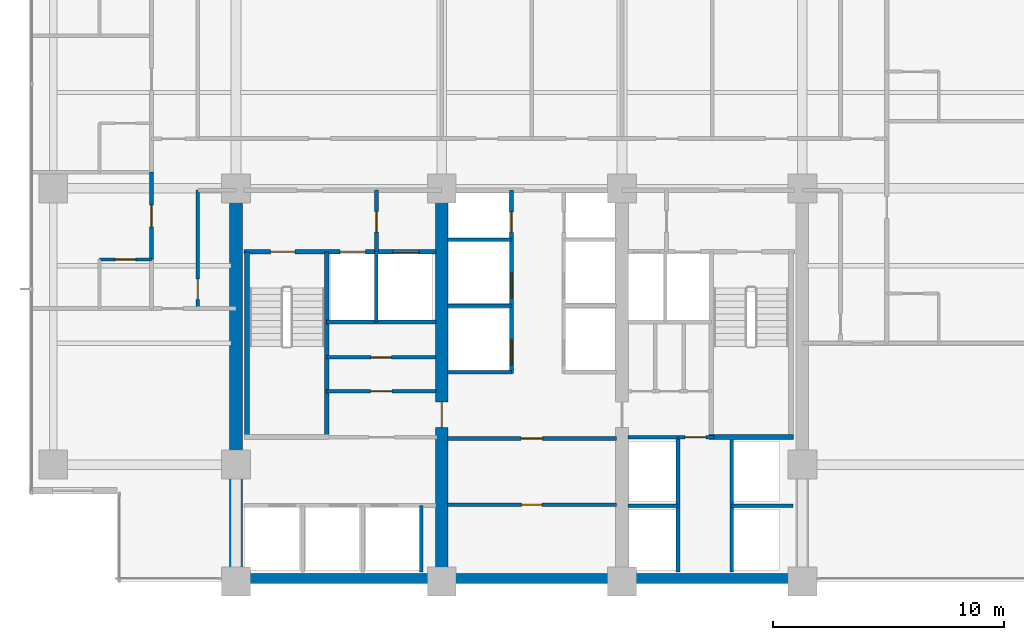
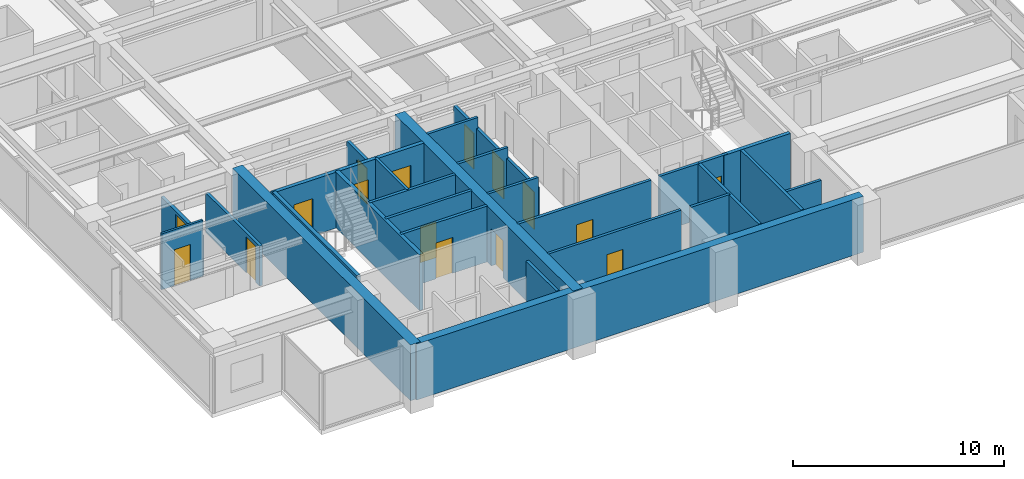
# One storey, part 8 of 17: 28 walls, 16 doors, 16 openings.
"""IFC4 building model written with IfcOpenShell, lengths in metres."""

from ifc_helpers import new_model, si_unit, direction, frame, frame_2d, origin, place, context, subcontext, project, spatial, rectangle, extrude, material, layer, layer_set, type_object, element, fill, save


model = new_model("IFC4")

# Units and contexts
model_context = context("Model", 3, precision=1e-05, world=origin(), true_north=direction((0.0, 1.0)))
body_context = subcontext(model_context, "Body", "Model", "MODEL_VIEW")
ifc_project = project(units=[si_unit("LENGTHUNIT", "METRE"), si_unit("AREAUNIT", "SQUARE_METRE"), si_unit("VOLUMEUNIT", "CUBIC_METRE"), si_unit("PLANEANGLEUNIT", "RADIAN"), si_unit("MASSUNIT", "GRAM", prefix="KILO")], contexts=[model_context])

# Site, building, storey
site_placement = place(None, origin())
site = spatial("IfcSite", under=ifc_project, at=site_placement, CompositionType="ELEMENT")
building_placement = place(site_placement, origin())
building = spatial("IfcBuilding", under=site, at=building_placement, Name="Qalmaran Belvedere Hotel", CompositionType="ELEMENT")
storey_placement = place(building_placement, frame((0.0, 0.0, 91.699951171875)))
storey = spatial("IfcBuildingStorey", under=building, at=storey_placement, Name="L22", CompositionType="ELEMENT", Elevation=91.699951171875)

# Wall
ifc_material_1 = material(Name="Concrete C60/75", Category="concrete")
ifc_layer_1 = layer(ifc_material_1, 0.550048828125, Name="Concrete C60/75")
ifc_layer_set_1 = layer_set([ifc_layer_1], Name="Concrete C60/75")
wall_type_1 = type_object("IfcWallType", Name="WL-CORE-550-C60", PredefinedType="SHEAR", material=ifc_layer_set_1)
wall_1_placement = place(storey_placement, frame((20.300048828125, 3.5, 0.0), z_axis=(0.0, 0.0, 1.0), x_axis=(0.0, 1.0, 0.0)))
element("IfcWall", 1, at=wall_1_placement, inside=storey, type_object=wall_type_1, Name="L22 West Core Shear Wall", PredefinedType="SHEAR", context=body_context, shape_type="SweptSolid", body=[
    extrude(rectangle(XDim=16.89990234375, YDim=0.550048828125, at=frame_2d((8.449951171875, 0.0))), origin(), (0.0, 0.0, 1.0), 3.239990234375),
])

# Wall, opening, door
wall_2_placement = place(storey_placement, frame((29.199951171875, 3.5, 0.0), z_axis=(0.0, 0.0, 1.0), x_axis=(0.0, 1.0, 0.0)))
wall_2 = element("IfcWall", 2, at=wall_2_placement, inside=storey, type_object=wall_type_1, Name="L22 Core West Spine Shear Wall", PredefinedType="SHEAR", context=body_context, shape_type="SweptSolid", body=[
    extrude(rectangle(XDim=16.89990234375, YDim=0.550048828125, at=frame_2d((8.449951171875, 0.0))), origin(), (0.0, 0.0, 1.0), 3.239990234375),
])
opening_1_placement = place(wall_2_placement, frame((7.75, 0.0, 0.0), z_axis=(0.0, 0.0, 1.0), x_axis=(-1.0, 0.0, 0.0)))
opening_1 = element("IfcOpeningElement", 3, at=opening_1_placement, cuts=wall_2, Name="Opening FD90", PredefinedType="OPENING", context=body_context, shape_type="SweptSolid", body=[
    extrude(rectangle(XDim=1.10009765625, YDim=2.14990234375, at=frame_2d((0.550048828125, 1.074951171875))), frame((0.0, 0.28515625, 0.0), z_axis=(0.0, -1.0, 0.0), x_axis=(1.0, 0.0, 0.0)), (0.0, 0.0, 1.0), 0.570068359375),
])
ifc_material_2 = material(Name="Steel S355JR", Category="steel")
door_type_1 = type_object("IfcDoorType", Name="DR-FD90-1100X2150", OperationType="NOTDEFINED", PredefinedType="DOOR", material=ifc_material_2)
door_1_placement = place(opening_1_placement, origin())
door_1 = element("IfcDoor", 4, at=door_1_placement, inside=storey, type_object=door_type_1, Name="L22 Core West Cross-Lobby Door", OperationType="SINGLE_SWING_RIGHT", OverallHeight=2.14990234375, OverallWidth=1.10009765625, PredefinedType="DOOR", context=body_context, shape_type="SweptSolid", body=[
    extrude(rectangle(XDim=1.10009765625, YDim=2.14990234375, at=frame_2d((0.550048828125, 1.074951171875))), frame((0.0, 0.02490234375, 0.0), z_axis=(0.0, -1.0, 0.0), x_axis=(1.0, 0.0, 0.0)), (0.0, 0.0, 1.0), 0.050048828125),
])
fill(opening_1, door_1)

# Wall
ifc_material_3 = material(Name="Concrete C50/60", Category="concrete")
ifc_layer_2 = layer(ifc_material_3, 0.43994140625, Name="Concrete C50/60")
ifc_layer_set_2 = layer_set([ifc_layer_2], Name="Concrete C50/60")
wall_type_2 = type_object("IfcWallType", Name="WL-CORES-440-EXT", PredefinedType="SHEAR", material=ifc_layer_set_2)
wall_3_placement = place(storey_placement, frame((20.300048828125, 3.6298828125, 0.0), z_axis=(0.0, 0.0, 1.0), x_axis=(1.0, 0.0, 0.0)))
element("IfcWall", 5, at=wall_3_placement, inside=storey, type_object=wall_type_2, Name="L22 South Core Shear Wall", PredefinedType="SHEAR", context=body_context, shape_type="SweptSolid", body=[
    extrude(rectangle(XDim=24.5, YDim=0.43994140625, at=frame_2d((12.25, 0.0))), origin(), (0.0, 0.0, 1.0), 3.239990234375),
])

# Wall, opening, door
ifc_material_4 = material(Name="Moisture-Resistant Gypsum")
ifc_layer_3 = layer(ifc_material_4, 0.1201171875, Name="Moisture-Resistant Gypsum")
ifc_layer_set_3 = layer_set([ifc_layer_3], Name="Moisture-Resistant Gypsum")
wall_type_3 = type_object("IfcWallType", Name="WL-INT-120-BATH", PredefinedType="PARTITIONING", material=ifc_layer_set_3)
wall_4_placement = place(storey_placement, frame((14.39990234375, 17.419921875, 0.0), z_axis=(0.0, 0.0, 1.0), x_axis=(1.0, 0.0, 0.0)))
wall_4 = element("IfcWall", 6, at=wall_4_placement, inside=storey, type_object=wall_type_3, Name="L22 Partition WL-L22-WBN00", PredefinedType="PARTITIONING", context=body_context, shape_type="SweptSolid", body=[
    extrude(rectangle(XDim=2.25, YDim=0.1201171875, at=frame_2d((1.125, 0.0))), origin(), (0.0, 0.0, 1.0), 3.239990234375),
])
opening_2_placement = place(wall_4_placement, frame((1.56494140625, 0.0, 0.0), z_axis=(0.0, 0.0, 1.0), x_axis=(-1.0, 0.0, 0.0)))
opening_2 = element("IfcOpeningElement", 7, at=opening_2_placement, cuts=wall_4, Name="Opening D-BATH", PredefinedType="OPENING", context=body_context, shape_type="SweptSolid", body=[
    extrude(rectangle(XDim=0.8798828125, YDim=2.080078125, at=frame_2d((0.43994140625, 1.0400390625))), frame((0.0, 0.070068359375, 0.0), z_axis=(0.0, -1.0, 0.0), x_axis=(1.0, 0.0, 0.0)), (0.0, 0.0, 1.0), 0.14013671875),
])
ifc_material_5 = material(Name="Engineered Oak Veneer")
door_type_2 = type_object("IfcDoorType", Name="DR-INT-BATH-880X2080", OperationType="NOTDEFINED", PredefinedType="DOOR", material=ifc_material_5)
door_2_placement = place(opening_2_placement, origin())
door_2 = element("IfcDoor", 8, at=door_2_placement, inside=storey, type_object=door_type_2, Name="L22 W Ensuite Door 01", OperationType="SINGLE_SWING_LEFT", OverallHeight=2.080078125, OverallWidth=0.8798828125, PredefinedType="DOOR", context=body_context, shape_type="SweptSolid", body=[
    extrude(rectangle(XDim=0.8798828125, YDim=2.080078125, at=frame_2d((0.43994140625, 1.0400390625))), frame((0.0, 0.02490234375, 0.0), z_axis=(0.0, -1.0, 0.0), x_axis=(1.0, 0.0, 0.0)), (0.0, 0.0, 1.0), 0.050048828125),
])
fill(opening_2, door_2)

# Walls
ifc_material_6 = material(Name="Gypsum Stud Partition")
ifc_layer_4 = layer(ifc_material_6, 0.14990234375, Name="Gypsum Stud Partition")
ifc_layer_set_4 = layer_set([ifc_layer_4], Name="Gypsum Stud Partition")
wall_type_4 = type_object("IfcWallType", Name="WL-INT-150-EI120", PredefinedType="PARTITIONING", material=ifc_layer_set_4)
wall_5_placement = place(storey_placement, frame((26.360107421875, 14.719970703125, 0.0), z_axis=(0.0, 0.0, 1.0), x_axis=(0.0, 1.0, 0.0)))
element("IfcWall", 9, at=wall_5_placement, inside=storey, type_object=wall_type_4, Name="L22 Partition WL-FF1M-L22", PredefinedType="PARTITIONING", context=body_context, shape_type="SweptSolid", body=[
    extrude(rectangle(XDim=3.0400390625, YDim=0.14990234375, at=frame_2d((1.52001953125, 0.0))), origin(), (0.0, 0.0, 1.0), 3.239990234375),
])
wall_6_placement = place(storey_placement, frame((28.320068359375, 3.89990234375, 0.0), z_axis=(0.0, 0.0, 1.0), x_axis=(0.0, 1.0, 0.0)))
element("IfcWall", 10, at=wall_6_placement, inside=storey, type_object=wall_type_4, Name="L22 Partition WL-POM3-L22", PredefinedType="PARTITIONING", context=body_context, shape_type="SweptSolid", body=[
    extrude(rectangle(XDim=2.880126953125, YDim=0.14990234375, at=frame_2d((1.43994140625, 0.0))), origin(), (0.0, 0.0, 1.0), 3.239990234375),
])
wall_7_placement = place(storey_placement, frame((37.25, 6.780029296875, 0.0), z_axis=(0.0, 0.0, 1.0), x_axis=(1.0, 0.0, 0.0)))
element("IfcWall", 11, at=wall_7_placement, inside=storey, type_object=wall_type_4, Name="L22 Partition WL-PHMW-L22", PredefinedType="PARTITIONING", context=body_context, shape_type="SweptSolid", body=[
    extrude(rectangle(XDim=2.169921875, YDim=0.14990234375, at=frame_2d((1.0849609375, 0.0))), origin(), (0.0, 0.0, 1.0), 3.239990234375),
])
wall_8_placement = place(storey_placement, frame((41.739990234375, 6.780029296875, 0.0), z_axis=(0.0, 0.0, 1.0), x_axis=(1.0, 0.0, 0.0)))
element("IfcWall", 12, at=wall_8_placement, inside=storey, type_object=wall_type_4, Name="L22 Partition WL-PHME-L22", PredefinedType="PARTITIONING", context=body_context, shape_type="SweptSolid", body=[
    extrude(rectangle(XDim=2.659912109375, YDim=0.14990234375, at=frame_2d((1.330078125, 0.0))), origin(), (0.0, 0.0, 1.0), 2.31298828125),
])
for number, where, z_axis, x_axis, name in (
    (13, (29.449951171875, 12.550048828125, 0.0), (0.0, 0.0, 1.0), (1.0, 0.0, 0.0), "L22 Partition WL-PMW-L22-125"),
    (14, (29.449951171875, 15.419921875, 0.0), (0.0, 0.0, 1.0), (1.0, 0.0, 0.0), "L22 Partition WL-PMW-L22-154"),
    (15, (29.449951171875, 18.280029296875, 0.0), (0.0, 0.0, 1.0), (1.0, 0.0, 0.0), "L22 Partition WL-PMW-L22-182"),
):
    element("IfcWall", number, at=place(storey_placement, frame(where, z_axis=z_axis, x_axis=x_axis)), inside=storey, type_object=wall_type_4, Name=name, PredefinedType="PARTITIONING", context=body_context, shape_type="SweptSolid", body=[
        extrude(rectangle(XDim=2.77001953125, YDim=0.14990234375, at=frame_2d((1.385009765625, 0.0))), origin(), (0.0, 0.0, 1.0), 3.239990234375),
    ])

# Wall, opening, door
ifc_layer_5 = layer(ifc_material_6, 0.14990234375, Name="Gypsum Stud Partition")
ifc_layer_set_5 = layer_set([ifc_layer_5], Name="Gypsum Stud Partition")
wall_type_5 = type_object("IfcWallType", Name="WL-INT-150-EI60", PredefinedType="PARTITIONING", material=ifc_layer_set_5)
wall_9_placement = place(storey_placement, frame((24.219970703125, 13.18505859375, 0.0), z_axis=(0.0, 0.0, 1.0), x_axis=(1.0, 0.0, 0.0)))
wall_9 = element("IfcWall", 16, at=wall_9_placement, inside=storey, type_object=wall_type_5, Name="L22 Partition WL-L22-KWHM", PredefinedType="PARTITIONING", context=body_context, shape_type="SweptSolid", body=[
    extrude(rectangle(XDim=4.72998046875, YDim=0.14990234375, at=frame_2d((2.364990234375, 0.0))), origin(), (0.0, 0.0, 1.0), 3.239990234375),
])
opening_3_placement = place(wall_9_placement, frame((1.925048828125, 0.0, 0.0)))
opening_3 = element("IfcOpeningElement", 17, at=opening_3_placement, cuts=wall_9, Name="Opening FD60B", PredefinedType="OPENING", context=body_context, shape_type="SweptSolid", body=[
    extrude(rectangle(XDim=0.8798828125, YDim=2.080078125, at=frame_2d((0.43994140625, 1.0400390625))), frame((0.0, 0.0849609375, 0.0), z_axis=(0.0, -1.0, 0.0), x_axis=(1.0, 0.0, 0.0)), (0.0, 0.0, 1.0), 0.169921875),
])
door_type_3 = type_object("IfcDoorType", Name="DR-FD60B-880X2080", OperationType="NOTDEFINED", PredefinedType="DOOR", material=ifc_material_2)
door_3_placement = place(opening_3_placement, origin())
door_3 = element("IfcDoor", 18, at=door_3_placement, inside=storey, type_object=door_type_3, Name="L22 Staff Core WC Door", OperationType="SINGLE_SWING_RIGHT", OverallHeight=2.080078125, OverallWidth=0.8798828125, PredefinedType="DOOR", context=body_context, shape_type="SweptSolid", body=[
    extrude(rectangle(XDim=0.8798828125, YDim=2.080078125, at=frame_2d((0.43994140625, 1.0400390625))), frame((0.0, 0.02490234375, 0.0), z_axis=(0.0, -1.0, 0.0), x_axis=(1.0, 0.0, 0.0)), (0.0, 0.0, 1.0), 0.050048828125),
])
fill(opening_3, door_3)

wall_10_placement = place(storey_placement, frame((29.449951171875, 6.81494140625, 0.0), z_axis=(0.0, 0.0, 1.0), x_axis=(1.0, 0.0, 0.0)))
wall_10 = element("IfcWall", 19, at=wall_10_placement, inside=storey, type_object=wall_type_5, Name="L22 Partition WL-L22-KPLHM", PredefinedType="PARTITIONING", context=body_context, shape_type="SweptSolid", body=[
    extrude(rectangle(XDim=7.300048828125, YDim=0.14990234375, at=frame_2d((3.64990234375, 0.0))), origin(), (0.0, 0.0, 1.0), 3.239990234375),
])
opening_4_placement = place(wall_10_placement, frame((4.08984375, 0.0, 0.0), z_axis=(0.0, 0.0, 1.0), x_axis=(-1.0, 0.0, 0.0)))
opening_4 = element("IfcOpeningElement", 20, at=opening_4_placement, cuts=wall_10, Name="Opening FD60B", PredefinedType="OPENING", context=body_context, shape_type="SweptSolid", body=[
    extrude(rectangle(XDim=0.8798828125, YDim=2.080078125, at=frame_2d((0.43994140625, 1.0400390625))), frame((0.0, 0.0849609375, 0.0), z_axis=(0.0, -1.0, 0.0), x_axis=(1.0, 0.0, 0.0)), (0.0, 0.0, 1.0), 0.169921875),
])
door_4_placement = place(opening_4_placement, origin())
door_4 = element("IfcDoor", 21, at=door_4_placement, inside=storey, type_object=door_type_3, Name="L22 Housekeeping and Linen Room Door", OperationType="SINGLE_SWING_LEFT", OverallHeight=2.080078125, OverallWidth=0.8798828125, PredefinedType="DOOR", context=body_context, shape_type="SweptSolid", body=[
    extrude(rectangle(XDim=0.8798828125, YDim=2.080078125, at=frame_2d((0.43994140625, 1.0400390625))), frame((0.0, 0.02490234375, 0.0), z_axis=(0.0, -1.0, 0.0), x_axis=(1.0, 0.0, 0.0)), (0.0, 0.0, 1.0), 0.050048828125),
])
fill(opening_4, door_4)

ifc_layer_6 = layer(ifc_material_6, 0.159912109375, Name="Gypsum Stud Partition")
ifc_layer_set_6 = layer_set([ifc_layer_6], Name="Gypsum Stud Partition")
wall_type_6 = type_object("IfcWallType", Name="WL-INT-160-EI120", PredefinedType="PARTITIONING", material=ifc_layer_set_6)
wall_11_placement = place(storey_placement, frame((26.3798828125, 17.760009765625, 0.0), z_axis=(0.0, 0.0, 1.0), x_axis=(0.0, 1.0, 0.0)))
wall_11 = element("IfcWall", 22, at=wall_11_placement, inside=storey, type_object=wall_type_6, Name="L22 Partition WL-FFSV1-L22", PredefinedType="PARTITIONING", context=body_context, shape_type="SweptSolid", body=[
    extrude(rectangle(XDim=2.659912109375, YDim=0.159912109375, at=frame_2d((1.330078125, 0.0))), origin(), (0.0, 0.0, 1.0), 2.614013671875),
])
opening_5_placement = place(wall_11_placement, frame((0.85009765625, 0.0, 0.0)))
opening_5 = element("IfcOpeningElement", 23, at=opening_5_placement, cuts=wall_11, Name="Opening FD60B", PredefinedType="OPENING", context=body_context, shape_type="SweptSolid", body=[
    extrude(rectangle(XDim=0.8798828125, YDim=2.080078125, at=frame_2d((0.43994140625, 1.0400390625))), frame((0.0, 0.08984375, 0.0), z_axis=(0.0, -1.0, 0.0), x_axis=(1.0, 0.0, 0.0)), (0.0, 0.0, 1.0), 0.179931640625),
])
door_5_placement = place(opening_5_placement, origin())
door_5 = element("IfcDoor", 24, at=door_5_placement, inside=storey, type_object=door_type_3, Name="L22 Service Lobby West Door", OperationType="SINGLE_SWING_RIGHT", OverallHeight=2.080078125, OverallWidth=0.8798828125, PredefinedType="DOOR", context=body_context, shape_type="SweptSolid", body=[
    extrude(rectangle(XDim=0.8798828125, YDim=2.080078125, at=frame_2d((0.43994140625, 1.0400390625))), frame((0.0, 0.02490234375, 0.0), z_axis=(0.0, -1.0, 0.0), x_axis=(1.0, 0.0, 0.0)), (0.0, 0.0, 1.0), 0.050048828125),
])
fill(opening_5, door_5)

# Walls
wall_12_placement = place(storey_placement, frame((24.219970703125, 14.719970703125, 0.0), z_axis=(0.0, 0.0, 1.0), x_axis=(1.0, 0.0, 0.0)))
element("IfcWall", 25, at=wall_12_placement, inside=storey, type_object=wall_type_6, Name="L22 Partition WL-FF1S-L22", PredefinedType="PARTITIONING", context=body_context, shape_type="SweptSolid", body=[
    extrude(rectangle(XDim=4.72998046875, YDim=0.159912109375, at=frame_2d((2.364990234375, 0.0))), origin(), (0.0, 0.0, 1.0), 3.239990234375),
])
for number, where, z_axis, x_axis, name in (
    (26, (39.419921875, 3.89990234375, 0.0), (0.0, 0.0, 1.0), (0.0, 1.0, 0.0), "L22 Partition WL-PHW-L22"),
    (27, (41.739990234375, 3.89990234375, 0.0), (0.0, 0.0, 1.0), (0.0, 1.0, 0.0), "L22 Partition WL-PHE-L22"),
):
    element("IfcWall", number, at=place(storey_placement, frame(where, z_axis=z_axis, x_axis=x_axis)), inside=storey, type_object=wall_type_6, Name=name, PredefinedType="PARTITIONING", context=body_context, shape_type="SweptSolid", body=[
        extrude(rectangle(XDim=5.840087890625, YDim=0.159912109375, at=frame_2d((2.919921875, 0.0))), origin(), (0.0, 0.0, 1.0), 3.239990234375),
    ])
wall_13_placement = place(storey_placement, frame((37.25, 9.739990234375, 0.0), z_axis=(0.0, 0.0, 1.0), x_axis=(1.0, 0.0, 0.0)))
element("IfcWall", 28, at=wall_13_placement, inside=storey, type_object=wall_type_6, Name="L22 Partition WL-PHNW-L22", PredefinedType="PARTITIONING", context=body_context, shape_type="SweptSolid", body=[
    extrude(rectangle(XDim=2.169921875, YDim=0.159912109375, at=frame_2d((1.0849609375, 0.0))), origin(), (0.0, 0.0, 1.0), 3.239990234375),
])

# Wall, opening, door
wall_14_placement = place(storey_placement, frame((39.419921875, 9.739990234375, 0.0), z_axis=(0.0, 0.0, 1.0), x_axis=(1.0, 0.0, 0.0)))
wall_14 = element("IfcWall", 29, at=wall_14_placement, inside=storey, type_object=wall_type_6, Name="L22 Partition WL-PHNL-L22", PredefinedType="PARTITIONING", context=body_context, shape_type="SweptSolid", body=[
    extrude(rectangle(XDim=1.56005859375, YDim=0.159912109375, at=frame_2d((0.780029296875, 0.0))), origin(), (0.0, 0.0, 1.0), 3.239990234375),
])
opening_6_placement = place(wall_14_placement, frame((0.300048828125, 0.0, 0.0)))
opening_6 = element("IfcOpeningElement", 30, at=opening_6_placement, cuts=wall_14, Name="Opening FD60S1", PredefinedType="OPENING", context=body_context, shape_type="SweptSolid", body=[
    extrude(rectangle(XDim=0.919921875, YDim=2.080078125, at=frame_2d((0.4599609375, 1.0400390625))), frame((0.0, 0.08984375, 0.0), z_axis=(0.0, -1.0, 0.0), x_axis=(1.0, 0.0, 0.0)), (0.0, 0.0, 1.0), 0.179931640625),
])
door_type_4 = type_object("IfcDoorType", Name="DR-FD60S-920X2080", OperationType="NOTDEFINED", PredefinedType="DOOR", material=ifc_material_5)
door_6_placement = place(opening_6_placement, origin())
door_6 = element("IfcDoor", 31, at=door_6_placement, inside=storey, type_object=door_type_4, Name="L22 High-Rise Lift Lobby Passage Door", OperationType="SINGLE_SWING_LEFT", OverallHeight=2.080078125, OverallWidth=0.919921875, PredefinedType="DOOR", context=body_context, shape_type="SweptSolid", body=[
    extrude(rectangle(XDim=0.919921875, YDim=2.080078125, at=frame_2d((0.4599609375, 1.0400390625))), frame((0.0, 0.02490234375, 0.0), z_axis=(0.0, -1.0, 0.0), x_axis=(1.0, 0.0, 0.0)), (0.0, 0.0, 1.0), 0.050048828125),
])
fill(opening_6, door_6)

# Wall, openings, doors
wall_15_placement = place(storey_placement, frame((32.219970703125, 12.5, 0.0), z_axis=(0.0, 0.0, 1.0), x_axis=(0.0, 1.0, 0.0)))
wall_15 = element("IfcWall", 32, at=wall_15_placement, inside=storey, type_object=wall_type_6, Name="L22 Partition WL-CLBWN-L22", PredefinedType="PARTITIONING", context=body_context, shape_type="SweptSolid", body=[
    extrude(rectangle(XDim=7.919921875, YDim=0.159912109375, at=frame_2d((3.9599609375, 0.0))), origin(), (0.0, 0.0, 1.0), 2.614013671875),
])
opening_7_placement = place(wall_15_placement, frame((1.43017578125, 0.0, 0.0), z_axis=(0.0, 0.0, 1.0), x_axis=(-1.0, 0.0, 0.0)))
opening_7 = element("IfcOpeningElement", 33, at=opening_7_placement, cuts=wall_15, Name="Opening LD-P1", PredefinedType="OPENING", context=body_context, shape_type="SweptSolid", body=[
    extrude(rectangle(XDim=1.080078125, YDim=2.159912109375, at=frame_2d((0.5400390625, 1.080078125))), frame((0.0, 0.08984375, 0.0), z_axis=(0.0, -1.0, 0.0), x_axis=(1.0, 0.0, 0.0)), (0.0, 0.0, 1.0), 0.179931640625),
])
opening_8_placement = place(wall_15_placement, frame((4.330078125, 0.0, 0.0), z_axis=(0.0, 0.0, 1.0), x_axis=(-1.0, 0.0, 0.0)))
opening_8 = element("IfcOpeningElement", 34, at=opening_8_placement, cuts=wall_15, Name="Opening LD-P1", PredefinedType="OPENING", context=body_context, shape_type="SweptSolid", body=[
    extrude(rectangle(XDim=1.080078125, YDim=2.159912109375, at=frame_2d((0.5400390625, 1.080078125))), frame((0.0, 0.08984375, 0.0), z_axis=(0.0, -1.0, 0.0), x_axis=(1.0, 0.0, 0.0)), (0.0, 0.0, 1.0), 0.179931640625),
])
opening_9_placement = place(wall_15_placement, frame((6.10009765625, 0.0, 0.0)))
opening_9 = element("IfcOpeningElement", 35, at=opening_9_placement, cuts=wall_15, Name="Opening FD60B", PredefinedType="OPENING", context=body_context, shape_type="SweptSolid", body=[
    extrude(rectangle(XDim=0.8798828125, YDim=2.080078125, at=frame_2d((0.43994140625, 1.0400390625))), frame((0.0, 0.08984375, 0.0), z_axis=(0.0, -1.0, 0.0), x_axis=(1.0, 0.0, 0.0)), (0.0, 0.0, 1.0), 0.179931640625),
])
door_7_placement = place(opening_9_placement, origin())
door_7 = element("IfcDoor", 36, at=door_7_placement, inside=storey, type_object=door_type_3, Name="L22 West Riser Access Door", OperationType="SINGLE_SWING_RIGHT", OverallHeight=2.080078125, OverallWidth=0.8798828125, PredefinedType="DOOR", context=body_context, shape_type="SweptSolid", body=[
    extrude(rectangle(XDim=0.8798828125, YDim=2.080078125, at=frame_2d((0.43994140625, 1.0400390625))), frame((0.0, 0.02490234375, 0.0), z_axis=(0.0, -1.0, 0.0), x_axis=(1.0, 0.0, 0.0)), (0.0, 0.0, 1.0), 0.050048828125),
])
fill(opening_9, door_7)
ifc_material_7 = material(Name="Stainless Steel 1.4401", Category="steel")
door_type_5 = type_object("IfcDoorType", Name="DR-LIFT-P1-1080X2160", OperationType="DOUBLE_DOOR_SLIDING", PredefinedType="DOOR", material=ifc_material_7)
door_8_placement = place(opening_7_placement, origin())
door_8 = element("IfcDoor", 37, at=door_8_placement, inside=storey, type_object=door_type_5, Name="L22 PM1 Lift Landing Door", OperationType="DOUBLE_DOOR_SLIDING", OverallHeight=2.159912109375, OverallWidth=1.080078125, PredefinedType="DOOR", context=body_context, shape_type="SweptSolid", body=[
    extrude(rectangle(XDim=1.080078125, YDim=2.159912109375, at=frame_2d((0.5400390625, 1.080078125))), frame((0.0, 0.02490234375, 0.0), z_axis=(0.0, -1.0, 0.0), x_axis=(1.0, 0.0, 0.0)), (0.0, 0.0, 1.0), 0.050048828125),
])
fill(opening_7, door_8)
door_9_placement = place(opening_8_placement, origin())
door_9 = element("IfcDoor", 38, at=door_9_placement, inside=storey, type_object=door_type_5, Name="L22 PM2 Lift Landing Door", OperationType="DOUBLE_DOOR_SLIDING", OverallHeight=2.159912109375, OverallWidth=1.080078125, PredefinedType="DOOR", context=body_context, shape_type="SweptSolid", body=[
    extrude(rectangle(XDim=1.080078125, YDim=2.159912109375, at=frame_2d((0.5400390625, 1.080078125))), frame((0.0, 0.02490234375, 0.0), z_axis=(0.0, -1.0, 0.0), x_axis=(1.0, 0.0, 0.0)), (0.0, 0.0, 1.0), 0.050048828125),
])
fill(opening_8, door_9)

# Wall, opening, door
ifc_layer_7 = layer(ifc_material_6, 0.159912109375, Name="Gypsum Stud Partition")
ifc_layer_set_7 = layer_set([ifc_layer_7], Name="Gypsum Stud Partition")
wall_type_7 = type_object("IfcWallType", Name="WL-INT-160-EI60", PredefinedType="PARTITIONING", material=ifc_layer_set_7)
wall_16_placement = place(storey_placement, frame((24.219970703125, 11.719970703125, 0.0), z_axis=(0.0, 0.0, 1.0), x_axis=(1.0, 0.0, 0.0)))
wall_16 = element("IfcWall", 39, at=wall_16_placement, inside=storey, type_object=wall_type_7, Name="L22 Partition WL-L22-KWE1", PredefinedType="PARTITIONING", context=body_context, shape_type="SweptSolid", body=[
    extrude(rectangle(XDim=4.72998046875, YDim=0.159912109375, at=frame_2d((2.364990234375, 0.0))), origin(), (0.0, 0.0, 1.0), 3.239990234375),
])
opening_10_placement = place(wall_16_placement, frame((1.905029296875, 0.0, 0.0)))
opening_10 = element("IfcOpeningElement", 40, at=opening_10_placement, cuts=wall_16, Name="Opening FD60S1", PredefinedType="OPENING", context=body_context, shape_type="SweptSolid", body=[
    extrude(rectangle(XDim=0.919921875, YDim=2.080078125, at=frame_2d((0.4599609375, 1.0400390625))), frame((0.0, 0.08984375, 0.0), z_axis=(0.0, -1.0, 0.0), x_axis=(1.0, 0.0, 0.0)), (0.0, 0.0, 1.0), 0.179931640625),
])
door_10_placement = place(opening_10_placement, origin())
door_10 = element("IfcDoor", 41, at=door_10_placement, inside=storey, type_object=door_type_4, Name="L22 Cleaner Supply Store Door", OperationType="SINGLE_SWING_LEFT", OverallHeight=2.080078125, OverallWidth=0.919921875, PredefinedType="DOOR", context=body_context, shape_type="SweptSolid", body=[
    extrude(rectangle(XDim=0.919921875, YDim=2.080078125, at=frame_2d((0.4599609375, 1.0400390625))), frame((0.0, 0.02490234375, 0.0), z_axis=(0.0, -1.0, 0.0), x_axis=(1.0, 0.0, 0.0)), (0.0, 0.0, 1.0), 0.050048828125),
])
fill(opening_10, door_10)

wall_17_placement = place(storey_placement, frame((29.449951171875, 9.679931640625, 0.0), z_axis=(0.0, 0.0, 1.0), x_axis=(1.0, 0.0, 0.0)))
wall_17 = element("IfcWall", 42, at=wall_17_placement, inside=storey, type_object=wall_type_7, Name="L22 Partition WL-L22-KPLE1", PredefinedType="PARTITIONING", context=body_context, shape_type="SweptSolid", body=[
    extrude(rectangle(XDim=7.300048828125, YDim=0.159912109375, at=frame_2d((3.64990234375, 0.0))), origin(), (0.0, 0.0, 1.0), 3.239990234375),
])
opening_11_placement = place(wall_17_placement, frame((4.10986328125, 0.0, 0.0), z_axis=(0.0, 0.0, 1.0), x_axis=(-1.0, 0.0, 0.0)))
opening_11 = element("IfcOpeningElement", 43, at=opening_11_placement, cuts=wall_17, Name="Opening FD60S1", PredefinedType="OPENING", context=body_context, shape_type="SweptSolid", body=[
    extrude(rectangle(XDim=0.919921875, YDim=2.080078125, at=frame_2d((0.4599609375, 1.0400390625))), frame((0.0, 0.08984375, 0.0), z_axis=(0.0, -1.0, 0.0), x_axis=(1.0, 0.0, 0.0)), (0.0, 0.0, 1.0), 0.179931640625),
])
door_11_placement = place(opening_11_placement, origin())
door_11 = element("IfcDoor", 44, at=door_11_placement, inside=storey, type_object=door_type_4, Name="L22 Guest Valet Supply Store Door", OperationType="SINGLE_SWING_RIGHT", OverallHeight=2.080078125, OverallWidth=0.919921875, PredefinedType="DOOR", context=body_context, shape_type="SweptSolid", body=[
    extrude(rectangle(XDim=0.919921875, YDim=2.080078125, at=frame_2d((0.4599609375, 1.0400390625))), frame((0.0, 0.02490234375, 0.0), z_axis=(0.0, -1.0, 0.0), x_axis=(1.0, 0.0, 0.0)), (0.0, 0.0, 1.0), 0.050048828125),
])
fill(opening_11, door_11)

wall_18_placement = place(storey_placement, frame((18.64990234375, 15.300048828125, 0.0), z_axis=(0.0, 0.0, 1.0), x_axis=(0.0, 1.0, 0.0)))
wall_18 = element("IfcWall", 45, at=wall_18_placement, inside=storey, type_object=wall_type_7, Name="L22 Partition WL-L22-WCL", PredefinedType="PARTITIONING", context=body_context, shape_type="SweptSolid", body=[
    extrude(rectangle(XDim=5.119873046875, YDim=0.159912109375, at=frame_2d((2.56005859375, 0.0))), origin(), (0.0, 0.0, 1.0), 2.31298828125),
])
opening_12_placement = place(wall_18_placement, frame((1.27978515625, 0.0, 0.0), z_axis=(0.0, 0.0, 1.0), x_axis=(-1.0, 0.0, 0.0)))
opening_12 = element("IfcOpeningElement", 46, at=opening_12_placement, cuts=wall_18, Name="Opening FD60B", PredefinedType="OPENING", context=body_context, shape_type="SweptSolid", body=[
    extrude(rectangle(XDim=0.8798828125, YDim=2.080078125, at=frame_2d((0.43994140625, 1.0400390625))), frame((0.0, 0.08984375, 0.0), z_axis=(0.0, -1.0, 0.0), x_axis=(1.0, 0.0, 0.0)), (0.0, 0.0, 1.0), 0.179931640625),
])
door_12_placement = place(opening_12_placement, origin())
door_12 = element("IfcDoor", 47, at=door_12_placement, inside=storey, type_object=door_type_3, Name="L22 West Closet Door", OperationType="SINGLE_SWING_RIGHT", OverallHeight=2.080078125, OverallWidth=0.8798828125, PredefinedType="DOOR", context=body_context, shape_type="SweptSolid", body=[
    extrude(rectangle(XDim=0.8798828125, YDim=2.080078125, at=frame_2d((0.43994140625, 1.0400390625))), frame((0.0, 0.02490234375, 0.0), z_axis=(0.0, -1.0, 0.0), x_axis=(1.0, 0.0, 0.0)), (0.0, 0.0, 1.0), 0.050048828125),
])
fill(opening_12, door_12)

ifc_layer_8 = layer(ifc_material_6, 0.179931640625, Name="Gypsum Stud Partition")
ifc_layer_set_8 = layer_set([ifc_layer_8], Name="Gypsum Stud Partition")
wall_type_8 = type_object("IfcWallType", Name="WL-INT-180-EI60", PredefinedType="PARTITIONING", material=ifc_layer_set_8)
wall_19_placement = place(storey_placement, frame((16.64990234375, 17.419921875, 0.0), z_axis=(0.0, 0.0, 1.0), x_axis=(0.0, 1.0, 0.0)))
wall_19 = element("IfcWall", 48, at=wall_19_placement, inside=storey, type_object=wall_type_8, Name="L22 Partition WL-L22-WEC00", PredefinedType="PARTITIONING", context=body_context, shape_type="SweptSolid", body=[
    extrude(rectangle(XDim=3.780029296875, YDim=0.179931640625, at=frame_2d((1.89013671875, 0.0))), origin(), (0.0, 0.0, 1.0), 2.31298828125),
])
opening_13_placement = place(wall_19_placement, frame((1.4150390625, 0.0, 0.0)))
opening_13 = element("IfcOpeningElement", 49, at=opening_13_placement, cuts=wall_19, Name="Opening FD60", PredefinedType="OPENING", context=body_context, shape_type="SweptSolid", body=[
    extrude(rectangle(XDim=0.949951171875, YDim=2.14990234375, at=frame_2d((0.47509765625, 1.074951171875))), frame((0.0, 0.10009765625, 0.0), z_axis=(0.0, -1.0, 0.0), x_axis=(1.0, 0.0, 0.0)), (0.0, 0.0, 1.0), 0.199951171875),
])
door_type_6 = type_object("IfcDoorType", Name="DR-FD60-950X2150", OperationType="NOTDEFINED", PredefinedType="DOOR", material=ifc_material_5)
door_13_placement = place(opening_13_placement, origin())
door_13 = element("IfcDoor", 50, at=door_13_placement, inside=storey, type_object=door_type_6, Name="L22 W Wing Door 01", OperationType="SINGLE_SWING_RIGHT", OverallHeight=2.14990234375, OverallWidth=0.949951171875, PredefinedType="DOOR", context=body_context, shape_type="SweptSolid", body=[
    extrude(rectangle(XDim=0.949951171875, YDim=2.14990234375, at=frame_2d((0.47509765625, 1.074951171875))), frame((0.0, 0.02490234375, 0.0), z_axis=(0.0, -1.0, 0.0), x_axis=(1.0, 0.0, 0.0)), (0.0, 0.0, 1.0), 0.050048828125),
])
fill(opening_13, door_13)

# Walls
ifc_layer_9 = layer(ifc_material_3, 0.2099609375, Name="Concrete C50/60")
ifc_layer_set_9 = layer_set([ifc_layer_9], Name="Concrete C50/60")
wall_type_9 = type_object("IfcWallType", Name="WL-STAIR-210-C50", PredefinedType="SHEAR", material=ifc_layer_set_9)
for number, where, z_axis, x_axis, name in (
    (51, (20.77490234375, 9.7451171875, 0.0), (0.0, 0.0, 1.0), (0.0, 1.0, 0.0), "L22 Stair ST-1 West Bearing Wall"),
    (52, (24.22509765625, 9.7451171875, 0.0), (0.0, 0.0, 1.0), (0.0, 1.0, 0.0), "L22 Stair ST-1 East Bearing Wall"),
):
    element("IfcWall", number, at=place(storey_placement, frame(where, z_axis=z_axis, x_axis=x_axis)), inside=storey, type_object=wall_type_9, Name=name, PredefinedType="SHEAR", context=body_context, shape_type="SweptSolid", body=[
        extrude(rectangle(XDim=8.009765625, YDim=0.2099609375, at=frame_2d((4.0048828125, 0.0))), origin(), (0.0, 0.0, 1.0), 3.239990234375),
    ])

# Wall, openings, doors
wall_20_placement = place(storey_placement, frame((20.64990234375, 17.7548828125, 0.0), z_axis=(0.0, 0.0, 1.0), x_axis=(1.0, 0.0, 0.0)))
wall_20 = element("IfcWall", 53, at=wall_20_placement, inside=storey, type_object=wall_type_9, Name="L22 West Lobby and Stair ST-1 North Bearing Wall", PredefinedType="SHEAR", context=body_context, shape_type="SweptSolid", body=[
    extrude(rectangle(XDim=8.300048828125, YDim=0.2099609375, at=frame_2d((4.14990234375, 0.0))), origin(), (0.0, 0.0, 1.0), 3.239990234375),
])
opening_14_placement = place(wall_20_placement, frame((2.199951171875, 0.0, 0.0), z_axis=(0.0, 0.0, 1.0), x_axis=(-1.0, 0.0, 0.0)))
opening_14 = element("IfcOpeningElement", 54, at=opening_14_placement, cuts=wall_20, Name="Opening FD90S2", PredefinedType="OPENING", context=body_context, shape_type="SweptSolid", body=[
    extrude(rectangle(XDim=1.050048828125, YDim=2.14990234375, at=frame_2d((0.52490234375, 1.074951171875))), frame((0.0, 0.114990234375, 0.0), z_axis=(0.0, -1.0, 0.0), x_axis=(1.0, 0.0, 0.0)), (0.0, 0.0, 1.0), 0.22998046875),
])
opening_15_placement = place(wall_20_placement, frame((4.14990234375, 0.0, 0.0)))
opening_15 = element("IfcOpeningElement", 55, at=opening_15_placement, cuts=wall_20, Name="Opening LD-FF", PredefinedType="OPENING", context=body_context, shape_type="SweptSolid", body=[
    extrude(rectangle(XDim=1.10009765625, YDim=2.179931640625, at=frame_2d((0.550048828125, 1.08984375))), frame((0.0, 0.114990234375, 0.0), z_axis=(0.0, -1.0, 0.0), x_axis=(1.0, 0.0, 0.0)), (0.0, 0.0, 1.0), 0.22998046875),
])
opening_16_placement = place(wall_20_placement, frame((6.449951171875, 0.0, 0.0)))
opening_16 = element("IfcOpeningElement", 56, at=opening_16_placement, cuts=wall_20, Name="Opening LD-SV", PredefinedType="OPENING", context=body_context, shape_type="SweptSolid", body=[
    extrude(rectangle(XDim=1.1201171875, YDim=2.199951171875, at=frame_2d((0.56005859375, 1.10009765625))), frame((0.0, 0.114990234375, 0.0), z_axis=(0.0, -1.0, 0.0), x_axis=(1.0, 0.0, 0.0)), (0.0, 0.0, 1.0), 0.22998046875),
])
door_type_7 = type_object("IfcDoorType", Name="DR-FD90S-1050X2150", OperationType="NOTDEFINED", PredefinedType="DOOR", material=ifc_material_2)
door_14_placement = place(opening_14_placement, origin())
door_14 = element("IfcDoor", 57, at=door_14_placement, inside=storey, type_object=door_type_7, Name="L22 Stair ST-1 Door", OperationType="SINGLE_SWING_RIGHT", OverallHeight=2.14990234375, OverallWidth=1.050048828125, PredefinedType="DOOR", context=body_context, shape_type="SweptSolid", body=[
    extrude(rectangle(XDim=1.050048828125, YDim=2.14990234375, at=frame_2d((0.52490234375, 1.074951171875))), frame((0.0, 0.02490234375, 0.0), z_axis=(0.0, -1.0, 0.0), x_axis=(1.0, 0.0, 0.0)), (0.0, 0.0, 1.0), 0.050048828125),
])
fill(opening_14, door_14)
door_type_8 = type_object("IfcDoorType", Name="DR-LIFT-FF-1100X2180", OperationType="DOUBLE_DOOR_SLIDING", PredefinedType="DOOR", material=ifc_material_7)
door_15_placement = place(opening_15_placement, origin())
door_15 = element("IfcDoor", 58, at=door_15_placement, inside=storey, type_object=door_type_8, Name="L22 FF1 Lift Landing Door", OperationType="DOUBLE_DOOR_SLIDING", OverallHeight=2.179931640625, OverallWidth=1.10009765625, PredefinedType="DOOR", context=body_context, shape_type="SweptSolid", body=[
    extrude(rectangle(XDim=1.10009765625, YDim=2.179931640625, at=frame_2d((0.550048828125, 1.08984375))), frame((0.0, 0.02490234375, 0.0), z_axis=(0.0, -1.0, 0.0), x_axis=(1.0, 0.0, 0.0)), (0.0, 0.0, 1.0), 0.050048828125),
])
fill(opening_15, door_15)
door_type_9 = type_object("IfcDoorType", Name="DR-LIFT-SV-1120X2200", OperationType="DOUBLE_DOOR_SLIDING", PredefinedType="DOOR", material=ifc_material_7)
door_16_placement = place(opening_16_placement, origin())
door_16 = element("IfcDoor", 59, at=door_16_placement, inside=storey, type_object=door_type_9, Name="L22 SV1 Lift Landing Door", OperationType="DOUBLE_DOOR_SLIDING", OverallHeight=2.199951171875, OverallWidth=1.1201171875, PredefinedType="DOOR", context=body_context, shape_type="SweptSolid", body=[
    extrude(rectangle(XDim=1.1201171875, YDim=2.199951171875, at=frame_2d((0.56005859375, 1.10009765625))), frame((0.0, 0.02490234375, 0.0), z_axis=(0.0, -1.0, 0.0), x_axis=(1.0, 0.0, 0.0)), (0.0, 0.0, 1.0), 0.050048828125),
])
fill(opening_16, door_16)

# Wall
wall_21_placement = place(storey_placement, frame((40.75, 9.7451171875, 0.0), z_axis=(0.0, 0.0, 1.0), x_axis=(1.0, 0.0, 0.0)))
element("IfcWall", 60, at=wall_21_placement, inside=storey, type_object=wall_type_9, Name="L22 Stair ST-2 South Bearing Wall", PredefinedType="SHEAR", context=body_context, shape_type="SweptSolid", body=[
    extrude(rectangle(XDim=3.659912109375, YDim=0.2099609375, at=frame_2d((1.830078125, 0.0))), origin(), (0.0, 0.0, 1.0), 3.239990234375),
])

save(model, "model.ifc")
